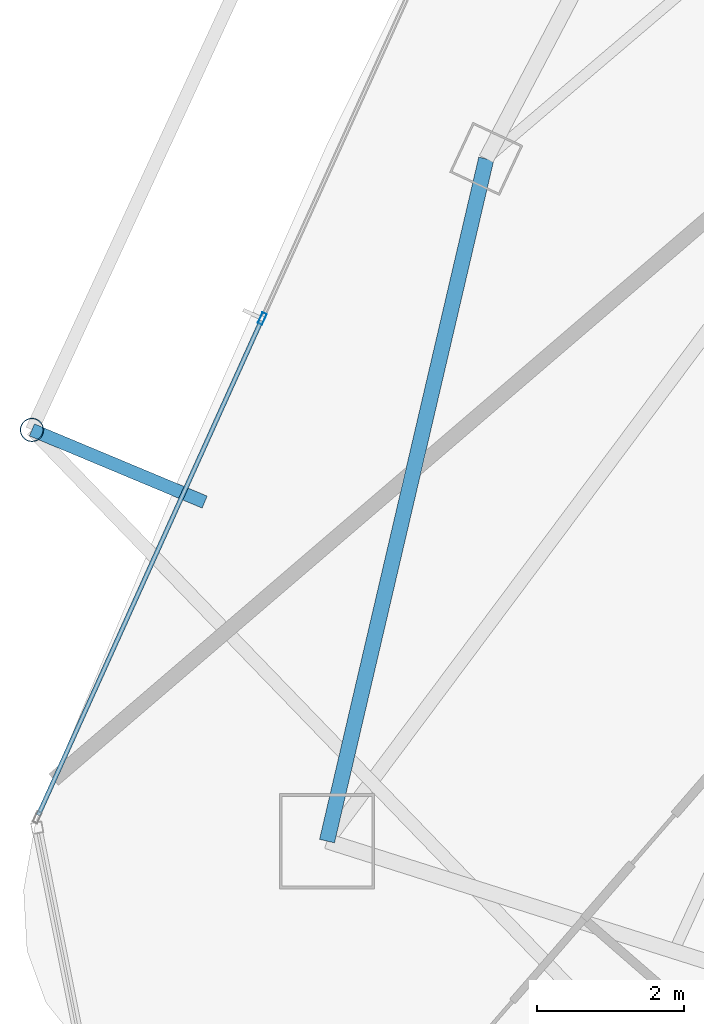
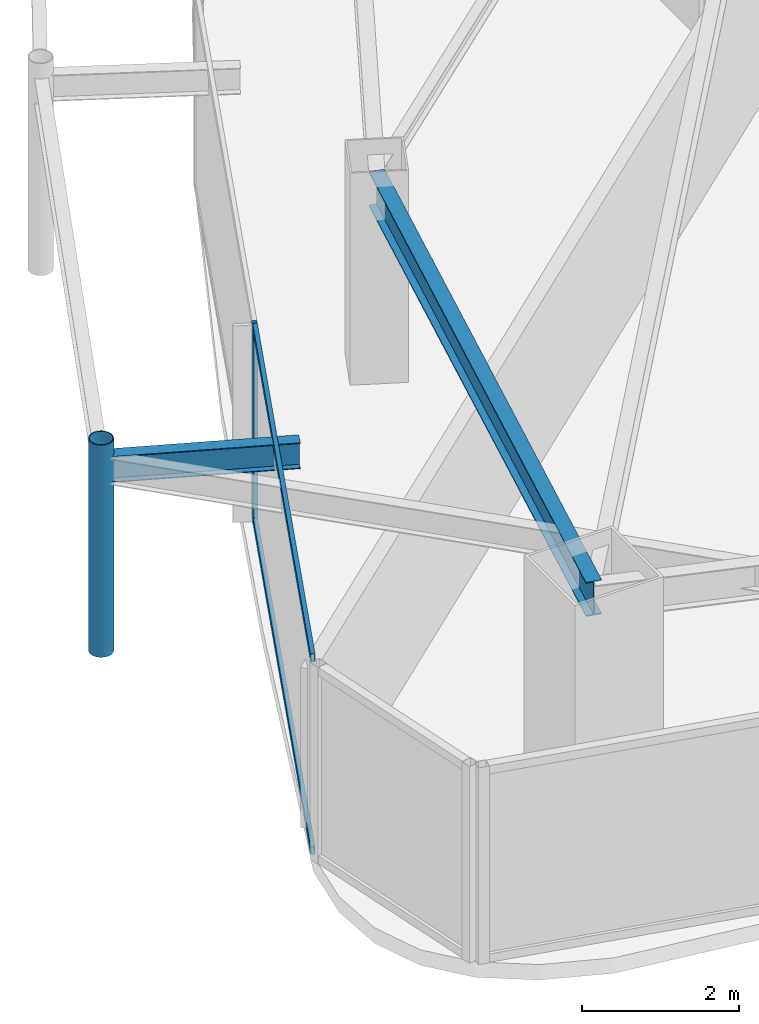
# One storey, part 5 of 30: 4 members, 2 beams, 1 element without a shape of its own.
"""IFC4 building model written with IfcOpenShell, lengths in metres."""

from ifc_helpers import new_model, si_unit, direction, frame, origin, origin_2d, place, context, subcontext, project, spatial, hollow_rectangle, hollow_circle, i_section, extrude, material, layer, layer_set, material_profile, profile_set, type_object, element, aggregate, save


model = new_model("IFC4")

# Units and contexts
model_context = context("Model", 3, precision=1e-05, world=origin(), true_north=direction((0.0, 1.0)))
body_context = subcontext(model_context, "Body", "Model", "MODEL_VIEW")
ifc_project = project(units=[si_unit("LENGTHUNIT", "METRE"), si_unit("AREAUNIT", "SQUARE_METRE"), si_unit("VOLUMEUNIT", "CUBIC_METRE"), si_unit("PLANEANGLEUNIT", "RADIAN"), si_unit("MASSUNIT", "GRAM", prefix="KILO")], contexts=[model_context])

# Site, building, storey
site_placement = place(None, origin())
site = spatial("IfcSite", under=ifc_project, at=site_placement, CompositionType="ELEMENT")
building_placement = place(site_placement, origin())
building = spatial("IfcBuilding", under=site, at=building_placement, Name="Orvanel Arch Residences", CompositionType="ELEMENT")
storey_placement = place(building_placement, frame((0.0, 0.0, 229.39990234375)))
storey = spatial("IfcBuildingStorey", under=building, at=storey_placement, Name="L65", CompositionType="ELEMENT", Elevation=229.39990234375)

# Curtain wall, member
ifc_material_1 = material(Name="Bronze-anodised aluminium AA6063-T6", Category="aluminium")
ifc_layer = layer(ifc_material_1, 0.175048828125)
ifc_layer_set = layer_set([ifc_layer], Name="Bronze-anodised aluminium AA6063-T6")
curtain_wall_type = type_object("IfcCurtainWallType", Name="CW4-HI-SYS", PredefinedType="NOTDEFINED", material=ifc_layer_set)
curtain_wall_placement = place(storey_placement, origin())
curtain_wall = element("IfcCurtainWall", 1, at=curtain_wall_placement, inside=storey, type_object=curtain_wall_type, Name="L65 CW4-HI-SYS Unitised Curtain Wall", PredefinedType="NOTDEFINED")
ifc_material_profile_1 = material_profile(ifc_material_1, hollow_rectangle(XDim=0.06494140625, YDim=0.159912109375, WallThickness=0.00390625, at=origin_2d()), Name="ALU160x65x4")
ifc_profile_set_1 = profile_set([ifc_material_profile_1], Name="Bronze-anodised aluminium AA6063-T6")
member_type_1 = type_object("IfcMemberType", Name="MUL-160x65", PredefinedType="MULLION", material=ifc_profile_set_1)
member_1_placement = place(storey_placement, frame((13.31689453125, 17.467529296875, 0.0), z_axis=(0.0, 0.0, 1.0), x_axis=(0.911577429328, -0.411128435335, 0.0)))
member_1 = element("IfcMember", 2, at=member_1_placement, type_object=member_type_1, Name="CW-S4 mullion 2", PredefinedType="MULLION", context=body_context, shape_type="SweptSolid", body=[
    extrude(hollow_rectangle(XDim=0.06494140625, YDim=0.159912109375, WallThickness=0.00390625, at=origin_2d()), origin(), (0.0, 0.0, 1.0), 3.06005859375),
])

# Beams
ifc_material_2 = material(Name="Structural steel AS/NZS 3679.1 Grade 300 (300 MPa)", Category="steel")
ifc_material_profile_2 = material_profile(ifc_material_2, i_section(OverallWidth=0.177978515625, OverallDepth=0.406005859375, WebThickness=0.0078125, FlangeThickness=0.0126953125, at=origin_2d()), Name="410UB59.7")
ifc_profile_set_2 = profile_set([ifc_material_profile_2], Name="Structural steel AS/NZS 3679.1 Grade 300 (300 MPa)")
beam_type_1 = type_object("IfcBeamType", Name="OB-410UB-EXT", PredefinedType="SPANDREL", material=ifc_profile_set_2)
beam_1_placement = place(storey_placement, frame((12.532958984375, 14.968017578125, 2.857177734375), z_axis=(-0.922730984255, 0.38544458836, 0.0), x_axis=(-0.38544458836, -0.922730984255, 0.0)))
element("IfcBeam", 3, at=beam_1_placement, inside=storey, type_object=beam_type_1, Name="L65 Outer Frame Radial Tie Beam 04", PredefinedType="SPANDREL", context=body_context, shape_type="SweptSolid", body=[
    extrude(i_section(OverallWidth=0.177978515625, OverallDepth=0.406005859375, WebThickness=0.0078125, FlangeThickness=0.0126953125, at=origin_2d()), origin(), (0.0, 0.0, 1.0), 2.550048828125),
])
ifc_material_profile_3 = material_profile(ifc_material_2, i_section(OverallWidth=0.208984375, OverallDepth=0.532958984375, WebThickness=0.01025390625, FlangeThickness=0.015625, at=origin_2d()), Name="530UB92.4")
ifc_profile_set_3 = profile_set([ifc_material_profile_3], Name="Structural steel AS/NZS 3679.1 Grade 300 (300 MPa)")
beam_type_2 = type_object("IfcBeamType", Name="SP-530UB", PredefinedType="SPANDREL", material=ifc_profile_set_3)
beam_2_placement = place(storey_placement, frame((16.366943359375, 19.64208984375, 2.794189453125), z_axis=(-0.227236087167, -0.973839699688, 0.0), x_axis=(0.973839699688, -0.227236087167, 0.0)))
element("IfcBeam", 4, at=beam_2_placement, inside=storey, type_object=beam_type_2, Name="L65 Perimeter Spandrel Beam 01", PredefinedType="SPANDREL", context=body_context, shape_type="SweptSolid", body=[
    extrude(i_section(OverallWidth=0.208984375, OverallDepth=0.532958984375, WebThickness=0.01025390625, FlangeThickness=0.015625, at=origin_2d()), origin(), (0.0, 0.0, 1.0), 9.54052734375),
])

# Member
ifc_material_3 = material(Name="Structural steel AS/NZS 1163 C350L0 (Grade 350)", Category="steel")
ifc_material_profile_4 = material_profile(ifc_material_3, hollow_circle(Radius=0.162109375, WallThickness=0.0126953125, at=origin_2d()), Name="CHS324x12.7")
ifc_profile_set_4 = profile_set([ifc_material_profile_4], Name="Structural steel AS/NZS 1163 C350L0 (Grade 350)")
member_type_2 = type_object("IfcMemberType", Name="ST-324CHS-EXT", PredefinedType="STRUT", material=ifc_profile_set_4)
member_2_placement = place(storey_placement, frame((10.179931640625, 15.950927734375, 0.0), z_axis=(0.0, 0.0, 1.0), x_axis=(1.0, 0.0, 0.0)))
element("IfcMember", 5, at=member_2_placement, inside=storey, type_object=member_type_2, Name="L65 Outer Perimeter Frame Post 04", PredefinedType="STRUT", context=body_context, shape_type="SweptSolid", body=[
    extrude(hollow_circle(Radius=0.162109375, WallThickness=0.0126953125, at=origin_2d()), origin(), (0.0, 0.0, 1.0), 3.300048828125),
])

ifc_material_profile_5 = material_profile(ifc_material_1, hollow_rectangle(XDim=0.06005859375, YDim=0.1201171875, WallThickness=0.00341796875, at=origin_2d()), Name="ALU120x60x3.5")
ifc_profile_set_5 = profile_set([ifc_material_profile_5], Name="Bronze-anodised aluminium AA6063-T6")
member_type_3 = type_object("IfcMemberType", Name="TRN-120x60", PredefinedType="USERDEFINED", material=ifc_profile_set_5)
member_3_placement = place(storey_placement, frame((13.3037109375, 17.43798828125, 0.030029296875), z_axis=(-0.411149219017, -0.911568055442, 0.0), x_axis=(0.911568055442, -0.411149219017, 0.0)))
member_3 = element("IfcMember", 6, at=member_3_placement, type_object=member_type_3, Name="CW-S4 transom 2.1", ObjectType="TRANSOM", PredefinedType="USERDEFINED", context=body_context, shape_type="SweptSolid", body=[
    extrude(hollow_rectangle(XDim=0.06005859375, YDim=0.1201171875, WallThickness=0.00341796875, at=origin_2d()), origin(), (0.0, 0.0, 1.0), 7.386962890625),
])

member_4_placement = place(storey_placement, frame((13.3037109375, 17.43798828125, 3.030029296875), z_axis=(-0.411149219017, -0.911568055442, 0.0), x_axis=(0.911568055442, -0.411149219017, 0.0)))
member_4 = element("IfcMember", 7, at=member_4_placement, type_object=member_type_3, Name="CW-S4 transom 2.2", ObjectType="TRANSOM", PredefinedType="USERDEFINED", context=body_context, shape_type="SweptSolid", body=[
    extrude(hollow_rectangle(XDim=0.06005859375, YDim=0.1201171875, WallThickness=0.00341796875, at=origin_2d()), origin(), (0.0, 0.0, 1.0), 7.386962890625),
])

aggregate(curtain_wall, [member_1, member_3, member_4])

save(model, "model.ifc")
